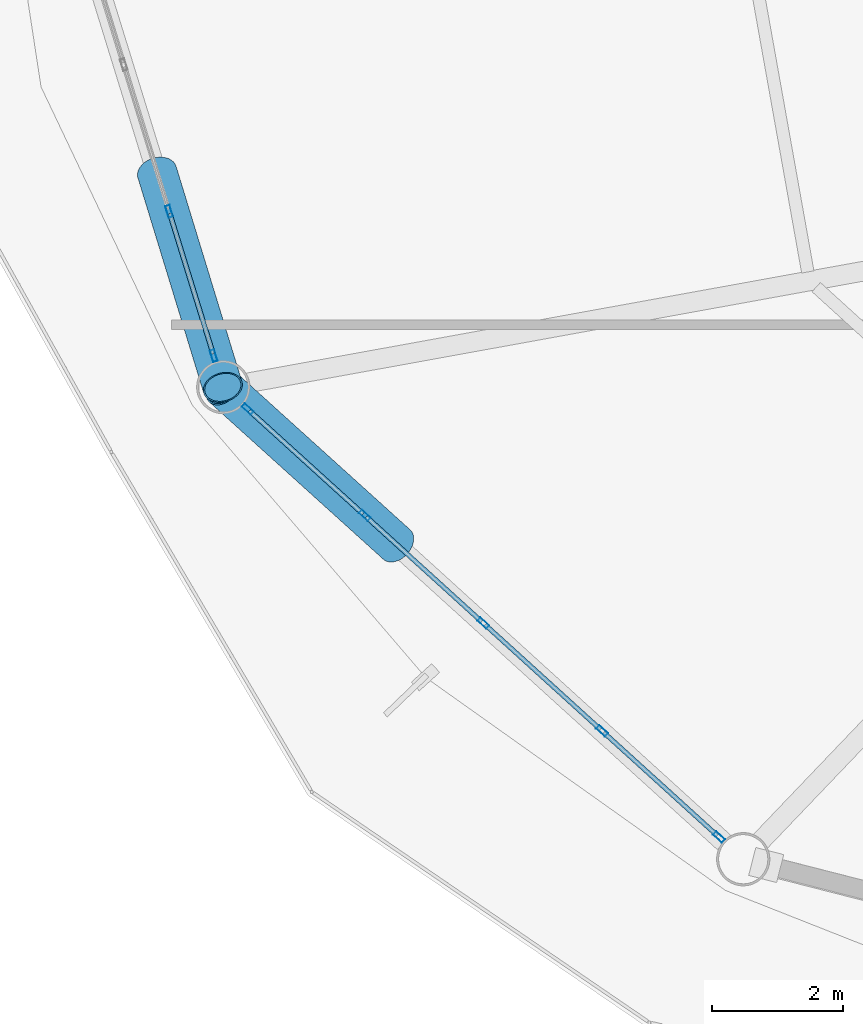
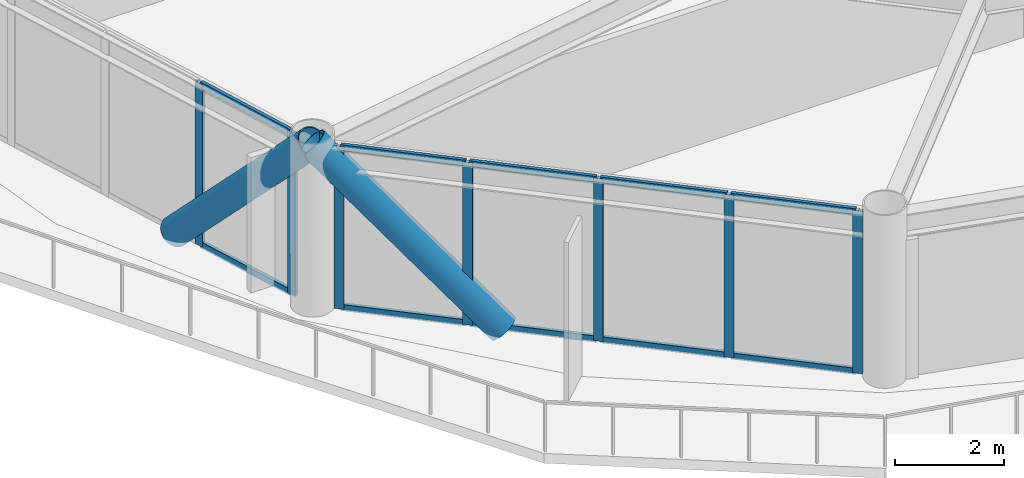
# One storey, part 2 of 23: 19 members, 2 elements without a shape of their own.
"""IFC4 building model written with IfcOpenShell, lengths in metres."""

from ifc_helpers import new_model, si_unit, direction, frame, origin, origin_2d, place, context, subcontext, project, spatial, hollow_rectangle, hollow_circle, extrude, material, layer, layer_set, material_profile, profile_set, type_object, element, aggregate, save


model = new_model("IFC4")

# Units and contexts
model_context = context("Model", 3, precision=1e-05, world=origin(), true_north=direction((0.0, 1.0)))
body_context = subcontext(model_context, "Body", "Model", "MODEL_VIEW")
ifc_project = project(units=[si_unit("LENGTHUNIT", "METRE"), si_unit("AREAUNIT", "SQUARE_METRE"), si_unit("VOLUMEUNIT", "CUBIC_METRE"), si_unit("PLANEANGLEUNIT", "RADIAN"), si_unit("MASSUNIT", "GRAM", prefix="KILO")], contexts=[model_context])

# Site, building, storey
site_placement = place(None, origin())
site = spatial("IfcSite", under=ifc_project, at=site_placement, CompositionType="ELEMENT")
building_placement = place(site_placement, origin())
building = spatial("IfcBuilding", under=site, at=building_placement, Name="Varnakorn Sky Granary", CompositionType="ELEMENT")
storey_placement = place(building_placement, frame((0.0, 0.0, 83.699951171875)))
storey = spatial("IfcBuildingStorey", under=building, at=storey_placement, Name="L20", CompositionType="ELEMENT", Elevation=83.699951171875)

# Curtain wall, members
ifc_material_1 = material(Name="Anodised Bronze Aluminium Alloy 6063-T6", Category="aluminium")
ifc_layer = layer(ifc_material_1, 0.18994140625, Name="Anodised Bronze Aluminium Alloy 6063-T6")
ifc_layer_set = layer_set([ifc_layer], Name="Anodised Bronze Aluminium Alloy 6063-T6")
curtain_wall_type = type_object("IfcCurtainWallType", Name="CW-FRM-1", PredefinedType="USERDEFINED", material=ifc_layer_set)
curtain_wall_1_placement = place(storey_placement, origin())
curtain_wall_1 = element("IfcCurtainWall", 1, at=curtain_wall_1_placement, inside=storey, type_object=curtain_wall_type, Name="Unitised Curtain Wall CW3 CW-L20-B07", ObjectType="CURTAIN WALL", PredefinedType="USERDEFINED")
ifc_material_profile_1 = material_profile(ifc_material_1, hollow_rectangle(XDim=0.070068359375, YDim=0.18505859375, WallThickness=0.00390625, at=origin_2d()), Name="ALU MULL 70x185")
ifc_profile_set_1 = profile_set([ifc_material_profile_1], Name="Anodised Bronze Aluminium Alloy 6063-T6")
member_type_1 = type_object("IfcMemberType", Name="CW-FRM-1-MULL", PredefinedType="MULLION", material=ifc_profile_set_1)
member_1_placement = place(storey_placement, frame((-20.445068359375, -9.374267578125, 0.0), z_axis=(0.0, 0.0, 1.0), x_axis=(-0.955474912193, -0.295072350738, 0.0)))
member_1 = element("IfcMember", 2, at=member_1_placement, type_object=member_type_1, Name="CW3 mullion 1", PredefinedType="MULLION", context=body_context, shape_type="SweptSolid", body=[
    extrude(hollow_rectangle(XDim=0.070068359375, YDim=0.18505859375, WallThickness=0.00390625, at=origin_2d()), origin(), (0.0, 0.0, 1.0), 3.64013671875),
])
member_2_placement = place(storey_placement, frame((-21.126708984375, -7.167236328125, 0.0), z_axis=(0.0, 0.0, 1.0), x_axis=(-0.955474912193, -0.295072350738, 0.0)))
member_2 = element("IfcMember", 3, at=member_2_placement, type_object=member_type_1, Name="CW3 mullion 2", PredefinedType="MULLION", context=body_context, shape_type="SweptSolid", body=[
    extrude(hollow_rectangle(XDim=0.070068359375, YDim=0.18505859375, WallThickness=0.00390625, at=origin_2d()), origin(), (0.0, 0.0, 1.0), 3.64013671875),
])

curtain_wall_2_placement = place(storey_placement, origin())
curtain_wall_2 = element("IfcCurtainWall", 4, at=curtain_wall_2_placement, inside=storey, type_object=curtain_wall_type, Name="Unitised Curtain Wall CW3 CW-L20-B08", ObjectType="CURTAIN WALL", PredefinedType="USERDEFINED")
member_3_placement = place(storey_placement, frame((-12.723876953125, -16.729736328125, 0.0), z_axis=(0.0, 0.0, 1.0), x_axis=(-0.672210876204, -0.740359735476, 0.0)))
member_3 = element("IfcMember", 5, at=member_3_placement, type_object=member_type_1, Name="CW3 mullion 1", PredefinedType="MULLION", context=body_context, shape_type="SweptSolid", body=[
    extrude(hollow_rectangle(XDim=0.070068359375, YDim=0.18505859375, WallThickness=0.00390625, at=origin_2d()), origin(), (0.0, 0.0, 1.0), 3.64013671875),
])
member_4_placement = place(storey_placement, frame((-14.51123046875, -15.106689453125, 0.0), z_axis=(0.0, 0.0, 1.0), x_axis=(-0.672210876204, -0.740359735476, 0.0)))
member_4 = element("IfcMember", 6, at=member_4_placement, type_object=member_type_1, Name="CW3 mullion 2", PredefinedType="MULLION", context=body_context, shape_type="SweptSolid", body=[
    extrude(hollow_rectangle(XDim=0.070068359375, YDim=0.18505859375, WallThickness=0.00390625, at=origin_2d()), origin(), (0.0, 0.0, 1.0), 3.64013671875),
])
member_5_placement = place(storey_placement, frame((-16.32470703125, -13.460205078125, 0.0), z_axis=(0.0, 0.0, 1.0), x_axis=(-0.672210876204, -0.740359735476, 0.0)))
member_5 = element("IfcMember", 7, at=member_5_placement, type_object=member_type_1, Name="CW3 mullion 3", PredefinedType="MULLION", context=body_context, shape_type="SweptSolid", body=[
    extrude(hollow_rectangle(XDim=0.070068359375, YDim=0.18505859375, WallThickness=0.00390625, at=origin_2d()), origin(), (0.0, 0.0, 1.0), 3.64013671875),
])
member_6_placement = place(storey_placement, frame((-18.13818359375, -11.813720703125, 0.0), z_axis=(0.0, 0.0, 1.0), x_axis=(-0.672210876204, -0.740359735476, 0.0)))
member_6 = element("IfcMember", 8, at=member_6_placement, type_object=member_type_1, Name="CW3 mullion 4", PredefinedType="MULLION", context=body_context, shape_type="SweptSolid", body=[
    extrude(hollow_rectangle(XDim=0.070068359375, YDim=0.18505859375, WallThickness=0.00390625, at=origin_2d()), origin(), (0.0, 0.0, 1.0), 3.64013671875),
])
member_7_placement = place(storey_placement, frame((-19.92578125, -10.190673828125, 0.0), z_axis=(0.0, 0.0, 1.0), x_axis=(-0.672210876204, -0.740359735476, 0.0)))
member_7 = element("IfcMember", 9, at=member_7_placement, type_object=member_type_1, Name="CW3 mullion 5", PredefinedType="MULLION", context=body_context, shape_type="SweptSolid", body=[
    extrude(hollow_rectangle(XDim=0.070068359375, YDim=0.18505859375, WallThickness=0.00390625, at=origin_2d()), origin(), (0.0, 0.0, 1.0), 3.64013671875),
])

# Member
ifc_material_profile_2 = material_profile(ifc_material_1, hollow_rectangle(XDim=0.070068359375, YDim=0.139892578125, WallThickness=0.00341796875, at=origin_2d()), Name="ALU TRAN 70x140")
ifc_profile_set_2 = profile_set([ifc_material_profile_2], Name="Anodised Bronze Aluminium Alloy 6063-T6")
member_type_2 = type_object("IfcMemberType", Name="CW-FRM-1-TRAN", PredefinedType="USERDEFINED", material=ifc_profile_set_2)
member_8_placement = place(storey_placement, frame((-20.455322265625, -9.3408203125, 0.03515625), z_axis=(-0.295058432825, 0.955479210249, 0.0), x_axis=(-0.955479210249, -0.295058432825, 0.0)))
member_8 = element("IfcMember", 10, at=member_8_placement, type_object=member_type_2, Name="CW3 transom 1.1", ObjectType="TRANSOM", PredefinedType="USERDEFINED", context=body_context, shape_type="SweptSolid", body=[
    extrude(hollow_rectangle(XDim=0.070068359375, YDim=0.139892578125, WallThickness=0.00341796875, at=origin_2d()), origin(), (0.0, 0.0, 1.0), 2.23974609375),
])

member_9_placement = place(storey_placement, frame((-20.455322265625, -9.3408203125, 3.60498046875), z_axis=(-0.295058432825, 0.955479210249, 0.0), x_axis=(-0.955479210249, -0.295058432825, 0.0)))
member_9 = element("IfcMember", 11, at=member_9_placement, type_object=member_type_2, Name="CW3 transom 1.2", ObjectType="TRANSOM", PredefinedType="USERDEFINED", context=body_context, shape_type="SweptSolid", body=[
    extrude(hollow_rectangle(XDim=0.070068359375, YDim=0.139892578125, WallThickness=0.00341796875, at=origin_2d()), origin(), (0.0, 0.0, 1.0), 2.23974609375),
])

aggregate(curtain_wall_1, [member_1, member_2, member_8, member_9])

member_10_placement = place(storey_placement, frame((-12.749755859375, -16.7060546875, 0.03515625), z_axis=(-0.740340485672, 0.672232076946, 0.0), x_axis=(-0.672232076946, -0.740340485672, 0.0)))
member_10 = element("IfcMember", 12, at=member_10_placement, type_object=member_type_2, Name="CW3 transom 1.1", ObjectType="TRANSOM", PredefinedType="USERDEFINED", context=body_context, shape_type="SweptSolid", body=[
    extrude(hollow_rectangle(XDim=0.070068359375, YDim=0.139892578125, WallThickness=0.00341796875, at=origin_2d()), origin(), (0.0, 0.0, 1.0), 2.34423828125),
])

member_11_placement = place(storey_placement, frame((-12.749755859375, -16.7060546875, 3.60498046875), z_axis=(-0.740340485672, 0.672232076946, 0.0), x_axis=(-0.672232076946, -0.740340485672, 0.0)))
member_11 = element("IfcMember", 13, at=member_11_placement, type_object=member_type_2, Name="CW3 transom 1.2", ObjectType="TRANSOM", PredefinedType="USERDEFINED", context=body_context, shape_type="SweptSolid", body=[
    extrude(hollow_rectangle(XDim=0.070068359375, YDim=0.139892578125, WallThickness=0.00341796875, at=origin_2d()), origin(), (0.0, 0.0, 1.0), 2.34423828125),
])

member_12_placement = place(storey_placement, frame((-14.537353515625, -15.083251953125, 0.03515625), z_axis=(-0.740302104901, 0.67227434391, 0.0), x_axis=(-0.67227434391, -0.740302104901, 0.0)))
member_12 = element("IfcMember", 14, at=member_12_placement, type_object=member_type_2, Name="CW3 transom 2.1", ObjectType="TRANSOM", PredefinedType="USERDEFINED", context=body_context, shape_type="SweptSolid", body=[
    extrude(hollow_rectangle(XDim=0.070068359375, YDim=0.139892578125, WallThickness=0.00341796875, at=origin_2d()), origin(), (0.0, 0.0, 1.0), 2.37939453125),
])

member_13_placement = place(storey_placement, frame((-14.537353515625, -15.083251953125, 3.60498046875), z_axis=(-0.740302104901, 0.67227434391, 0.0), x_axis=(-0.67227434391, -0.740302104901, 0.0)))
member_13 = element("IfcMember", 15, at=member_13_placement, type_object=member_type_2, Name="CW3 transom 2.2", ObjectType="TRANSOM", PredefinedType="USERDEFINED", context=body_context, shape_type="SweptSolid", body=[
    extrude(hollow_rectangle(XDim=0.070068359375, YDim=0.139892578125, WallThickness=0.00341796875, at=origin_2d()), origin(), (0.0, 0.0, 1.0), 2.37939453125),
])

member_14_placement = place(storey_placement, frame((-16.350830078125, -13.4365234375, 0.03515625), z_axis=(-0.740353171856, 0.672218105174, 0.0), x_axis=(-0.672218105174, -0.740353171856, 0.0)))
member_14 = element("IfcMember", 16, at=member_14_placement, type_object=member_type_2, Name="CW3 transom 3.1", ObjectType="TRANSOM", PredefinedType="USERDEFINED", context=body_context, shape_type="SweptSolid", body=[
    extrude(hollow_rectangle(XDim=0.070068359375, YDim=0.139892578125, WallThickness=0.00341796875, at=origin_2d()), origin(), (0.0, 0.0, 1.0), 2.379150390625),
])

member_15_placement = place(storey_placement, frame((-16.350830078125, -13.4365234375, 3.60498046875), z_axis=(-0.740353171856, 0.672218105174, 0.0), x_axis=(-0.672218105174, -0.740353171856, 0.0)))
member_15 = element("IfcMember", 17, at=member_15_placement, type_object=member_type_2, Name="CW3 transom 3.2", ObjectType="TRANSOM", PredefinedType="USERDEFINED", context=body_context, shape_type="SweptSolid", body=[
    extrude(hollow_rectangle(XDim=0.070068359375, YDim=0.139892578125, WallThickness=0.00341796875, at=origin_2d()), origin(), (0.0, 0.0, 1.0), 2.379150390625),
])

member_16_placement = place(storey_placement, frame((-18.1640625, -11.7900390625, 0.03515625), z_axis=(-0.740387541262, 0.672180250189, 0.0), x_axis=(-0.672180250189, -0.740387541262, 0.0)))
member_16 = element("IfcMember", 18, at=member_16_placement, type_object=member_type_2, Name="CW3 transom 4.1", ObjectType="TRANSOM", PredefinedType="USERDEFINED", context=body_context, shape_type="SweptSolid", body=[
    extrude(hollow_rectangle(XDim=0.070068359375, YDim=0.139892578125, WallThickness=0.00341796875, at=origin_2d()), origin(), (0.0, 0.0, 1.0), 2.344482421875),
])

member_17_placement = place(storey_placement, frame((-18.1640625, -11.7900390625, 3.60498046875), z_axis=(-0.740387541262, 0.672180250189, 0.0), x_axis=(-0.672180250189, -0.740387541262, 0.0)))
member_17 = element("IfcMember", 19, at=member_17_placement, type_object=member_type_2, Name="CW3 transom 4.2", ObjectType="TRANSOM", PredefinedType="USERDEFINED", context=body_context, shape_type="SweptSolid", body=[
    extrude(hollow_rectangle(XDim=0.070068359375, YDim=0.139892578125, WallThickness=0.00341796875, at=origin_2d()), origin(), (0.0, 0.0, 1.0), 2.344482421875),
])

aggregate(curtain_wall_2, [member_3, member_4, member_5, member_6, member_7, member_10, member_11, member_12, member_13, member_14, member_15, member_16, member_17])

# Members
ifc_material_2 = material(Name="Steel S460M", Category="steel")
ifc_material_profile_3 = material_profile(ifc_material_2, hollow_circle(Radius=0.304931640625, WallThickness=0.022216796875, at=origin_2d()), Name="CHS 610x22")
ifc_profile_set_3 = profile_set([ifc_material_profile_3], Name="Steel S460M")
member_type_3 = type_object("IfcMemberType", Name="MB-DIAG-T1", PredefinedType="BRACE", material=ifc_profile_set_3)
member_18_placement = place(storey_placement, frame((-21.311279296875, -6.569091796875, 0.0), z_axis=(0.200822151392, -0.656682096893, 0.726938159082), x_axis=(0.956282650096, 0.292443999981, 0.0)))
element("IfcMember", 20, at=member_18_placement, inside=storey, type_object=member_type_3, Name="Perimeter CHS Diagrid Brace DG07 L20", PredefinedType="BRACE", context=body_context, shape_type="SweptSolid", body=[
    extrude(hollow_circle(Radius=0.304931640625, WallThickness=0.022216796875, at=origin_2d()), origin(), (0.0, 0.0, 1.0), 5.007568359375),
])
member_19_placement = place(storey_placement, frame((-17.64892578125, -12.2578125, 0.0), z_axis=(-0.520321998691, 0.470116328904, 0.71292051098), x_axis=(-0.670402536768, -0.741997600195, 0.0)))
element("IfcMember", 21, at=member_19_placement, inside=storey, type_object=member_type_3, Name="Perimeter CHS Diagrid Brace DG08 L20", PredefinedType="BRACE", context=body_context, shape_type="SweptSolid", body=[
    extrude(hollow_circle(Radius=0.304931640625, WallThickness=0.022216796875, at=origin_2d()), origin(), (0.0, 0.0, 1.0), 5.10595703125),
])

save(model, "model.ifc")
